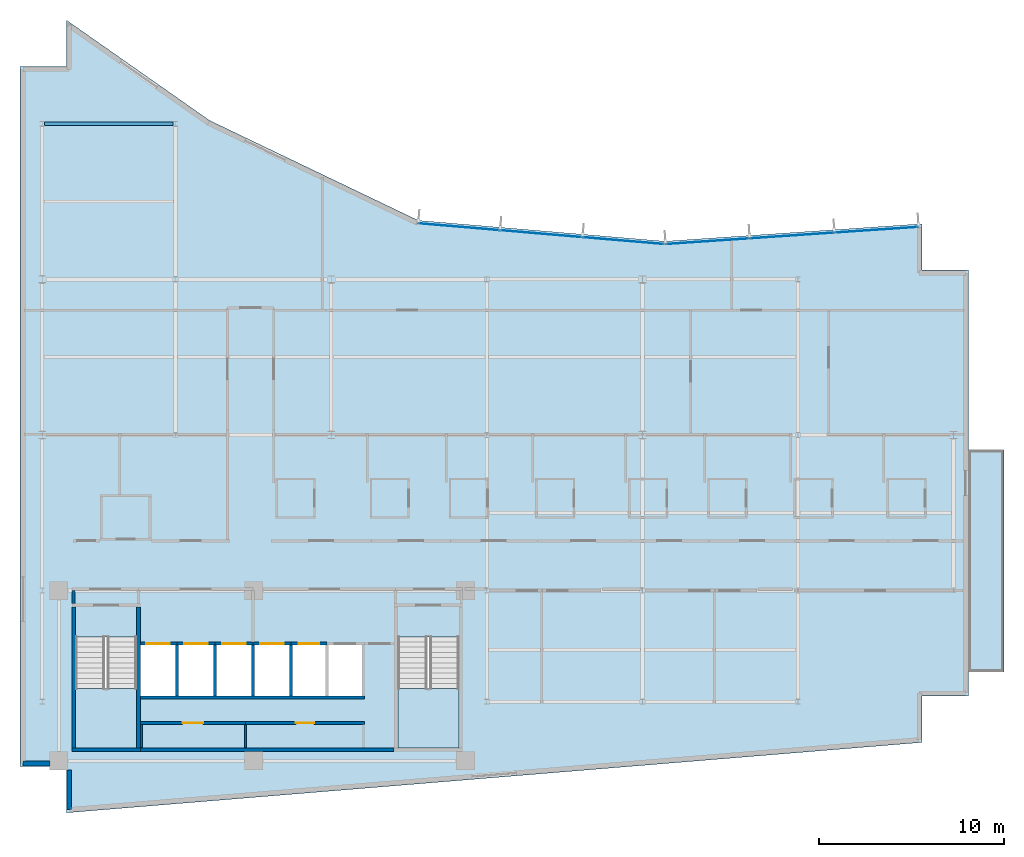
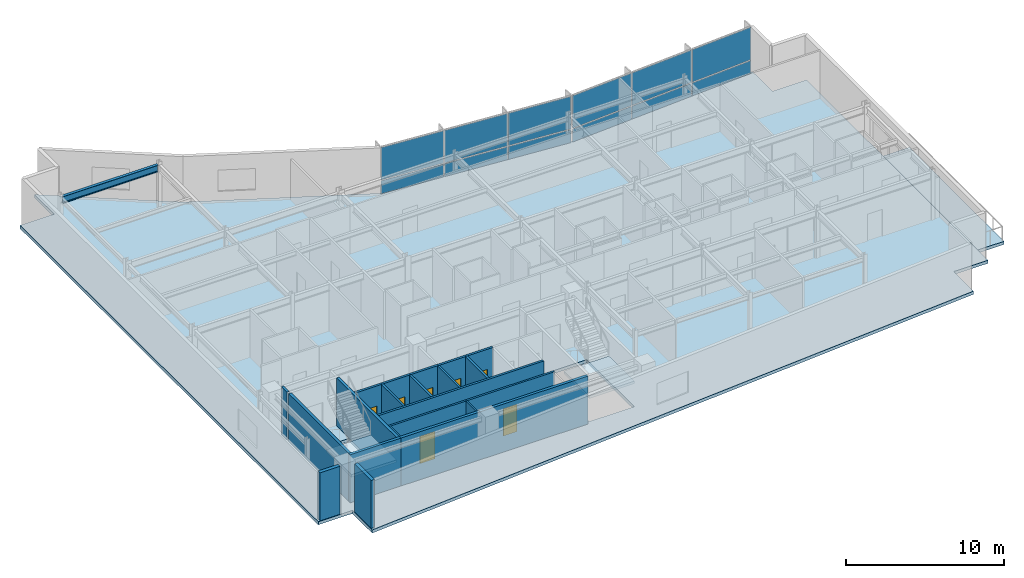
# One storey, part 8 of 15: 21 walls, 12 plates, 7 doors, 4 slabs, 1 beam, 7 openings, 4 elements without a shape of their own.
"""IFC4 building model written with IfcOpenShell, lengths in metres."""

import ifcopenshell
import ifcopenshell.guid

model = None  # the IFC model being written
_history = None  # IfcOwnerHistory: only IFC2X3 demands one
_inside = {}  # id of a spatial element -> (the spatial element, [elements in it])
_under = {}  # id of a project, library or spatial element -> (it, [spatial elements below it])
_declared = {}  # id of a project -> (the project, [libraries it declares])
_typed = {}  # id of a type object -> (the type object, [elements of that type])
_made_of = {}  # id of a material, layer set ... -> (it, [elements and type objects made of it])


def new_model(schema):
    """Start an empty IFC model of exactly this schema.

    Asked for "IFC4X3", IfcOpenShell would pick the latest addendum, in which some entities
    have other attributes; the version numbers below select the first issue.
    IFC2X3 requires an IfcOwnerHistory on every rooted entity: one is made here for all.
    """
    global model, _history
    if schema == "IFC4X3":
        model = ifcopenshell.file(schema_version=(4, 3, 0, 0))
    else:
        model = ifcopenshell.file(schema=schema)
    _inside.clear()
    _under.clear()
    _declared.clear()
    _typed.clear()
    _made_of.clear()
    _history = None
    if model.schema == "IFC2X3":
        org = make("IfcOrganization", Name="unknown")
        user = make(
            "IfcPersonAndOrganization",
            ThePerson=make("IfcPerson", FamilyName="unknown"),
            TheOrganization=org,
        )
        app = make(
            "IfcApplication",
            ApplicationDeveloper=org,
            Version="unknown",
            ApplicationFullName="unknown",
            ApplicationIdentifier="unknown",
        )
        _history = make(
            "IfcOwnerHistory",
            OwningUser=user,
            OwningApplication=app,
            ChangeAction="ADDED",
            CreationDate=0,
        )
    return model


def make(cls, **values):
    """One entity of the class cls with the attributes given. An attribute that is None is left unset."""
    return model.create_entity(
        cls, **{name: value for name, value in values.items() if value is not None}
    )


def rooted(cls, **values):
    """An entity with a GlobalId (a new one), such as an element, a storey or a relation."""
    return make(cls, GlobalId=ifcopenshell.guid.new(), OwnerHistory=_history, **values)


def si_unit(unit_type, name, prefix=None):
    """IfcSIUnit, for example si_unit("LENGTHUNIT", "METRE", prefix="MILLI")."""
    return make("IfcSIUnit", UnitType=unit_type, Prefix=prefix, Name=name)


def assignment(units):
    """IfcUnitAssignment: the units of a project."""
    return None if units is None else make("IfcUnitAssignment", Units=units)


def point(xyz):
    """IfcCartesianPoint."""
    return None if xyz is None else make("IfcCartesianPoint", Coordinates=xyz)


def direction(xyz):
    """IfcDirection."""
    return None if xyz is None else make("IfcDirection", DirectionRatios=xyz)


def frame(location, z_axis=None, x_axis=None):
    """IfcAxis2Placement3D, a coordinate frame: its origin and axes. An axis left out is left unset."""
    return make(
        "IfcAxis2Placement3D",
        Location=point(location),
        Axis=direction(z_axis),
        RefDirection=direction(x_axis),
    )


def frame_2d(location, x_axis=None):
    """IfcAxis2Placement2D, a coordinate frame in the plane: its origin and x axis."""
    return make(
        "IfcAxis2Placement2D", Location=point(location), RefDirection=direction(x_axis)
    )


def origin():
    """The frame at (0, 0, 0) with its axes left unset."""
    return frame((0.0, 0.0, 0.0))


def origin_2d():
    """The frame at (0, 0) in the plane with its x axis left unset."""
    return frame_2d((0.0, 0.0))


def place(relative_to, where):
    """IfcLocalPlacement: puts the frame where relative to a parent placement (None: the world)."""
    return make(
        "IfcLocalPlacement", PlacementRelTo=relative_to, RelativePlacement=where
    )


def context(
    kind, dimensions, precision=None, world=None, true_north=None, identifier=None
):
    """IfcGeometricRepresentationContext, for example the 3D "Model" context."""
    return make(
        "IfcGeometricRepresentationContext",
        ContextIdentifier=identifier,
        ContextType=kind,
        CoordinateSpaceDimension=dimensions,
        Precision=precision,
        WorldCoordinateSystem=world,
        TrueNorth=true_north,
    )


def subcontext(parent, identifier, kind, view, scale=None):
    """IfcGeometricRepresentationSubContext, for example "Body" below "Model"."""
    return make(
        "IfcGeometricRepresentationSubContext",
        ContextIdentifier=identifier,
        ContextType=kind,
        ParentContext=parent,
        TargetScale=scale,
        TargetView=view,
    )


def project(units=None, contexts=None):
    """IfcProject with its units and contexts."""
    return rooted(
        "IfcProject",
        Name="project",
        RepresentationContexts=contexts,
        UnitsInContext=assignment(units),
    )


def spatial(cls, under=None, at=None, **own):
    """A site, building, storey or space (cls), placed at a placement, below another one or the project."""
    s = rooted(cls, ObjectPlacement=at, **own)
    if under is not None:
        _under.setdefault(under.id(), (under, []))[1].append(s)
    return s


def polyline(points):
    """IfcPolyline through the points."""
    return make("IfcPolyline", Points=[point(p) for p in points])


def profile(cls, at=None, kind="AREA", **sizes):
    """A parametric profile (cls). Its sizes go by their IFC names, for example OverallWidth=200.0."""
    return make(cls, ProfileType=kind, Position=at, **sizes)


def rectangle(**sizes):
    """IfcRectangleProfileDef."""
    return profile("IfcRectangleProfileDef", **sizes)


def i_section(**sizes):
    """IfcIShapeProfileDef."""
    return profile("IfcIShapeProfileDef", **sizes)


def outline(outer, holes=None, kind="AREA"):
    """IfcArbitraryClosedProfileDef: a profile drawn as a closed curve; with holes, ...WithVoids."""
    if holes is None:
        return make("IfcArbitraryClosedProfileDef", ProfileType=kind, OuterCurve=outer)
    return make(
        "IfcArbitraryProfileDefWithVoids",
        ProfileType=kind,
        OuterCurve=outer,
        InnerCurves=holes,
    )


def extrude(swept, where, along, depth):
    """IfcExtrudedAreaSolid: the profile swept, set in the frame where, extruded along a direction by depth."""
    return make(
        "IfcExtrudedAreaSolid",
        SweptArea=swept,
        Position=where,
        ExtrudedDirection=direction(along),
        Depth=depth,
    )


def shape(context_of_items, identifier, shape_type, items):
    """IfcShapeRepresentation: the items that make up one representation, for example the "Body"."""
    return make(
        "IfcShapeRepresentation",
        ContextOfItems=context_of_items,
        RepresentationIdentifier=identifier,
        RepresentationType=shape_type,
        Items=items,
    )


def material(Name=None, Category=None):
    """IfcMaterial."""
    return make("IfcMaterial", Name=Name, Category=Category)


def layer(
    of_material, thickness, ventilated=None, Name=None, Category=None, Priority=None
):
    """IfcMaterialLayer: one layer of a wall or slab, of a material (None: an air gap)."""
    return make(
        "IfcMaterialLayer",
        Material=of_material,
        LayerThickness=thickness,
        IsVentilated=ventilated,
        Name=Name,
        Category=Category,
        Priority=Priority,
    )


def layer_set(layers, Name=None):
    """IfcMaterialLayerSet."""
    return make("IfcMaterialLayerSet", MaterialLayers=layers, LayerSetName=Name)


def material_profile(
    of_material, cross_section, Name=None, Category=None, Priority=None
):
    """IfcMaterialProfile: a cross section and its material."""
    return make(
        "IfcMaterialProfile",
        Name=Name,
        Material=of_material,
        Profile=cross_section,
        Priority=Priority,
        Category=Category,
    )


def profile_set(profiles, Name=None, composite=None):
    """IfcMaterialProfileSet."""
    return make(
        "IfcMaterialProfileSet",
        Name=Name,
        MaterialProfiles=profiles,
        CompositeProfile=composite,
    )


def made_of(thing, what):
    """Note that an element or type object is made of a material, layer set ...; save() writes the relation."""
    if what is not None:
        _made_of.setdefault(what.id(), (what, []))[1].append(thing)
    return thing


def type_object(cls, material=None, **own):
    """A type object (cls), such as IfcWallType, which elements share."""
    return made_of(rooted(cls, **own), material)


def element(
    cls,
    number,
    at=None,
    inside=None,
    cuts=None,
    type_object=None,
    material=None,
    context=None,
    identifier="Body",
    shape_type=None,
    held_by="IfcProductDefinitionShape",
    body=None,
    shapes=None,
    **own,
):
    """One element of the class cls, such as IfcWall. Its Tag is "e" and its number.

    at: its placement. inside: the storey or other place that contains it. cuts: it is an
    opening in that element (IfcRelVoidsElement). A single representation is given by context,
    identifier, shape_type and body (its items); several are given by shapes. held_by: the class
    of the entity that holds the representations. save() writes the other relations.
    """
    e = rooted(cls, Tag="e%d" % number, ObjectPlacement=at, **own)
    if body is not None:
        shapes = [shape(context, identifier, shape_type, body)]
    if shapes is not None:
        e.Representation = make(held_by, Representations=shapes)
    if inside is not None:
        _inside.setdefault(inside.id(), (inside, []))[1].append(e)
    if cuts is not None:
        rooted(
            "IfcRelVoidsElement", RelatingBuildingElement=cuts, RelatedOpeningElement=e
        )
    if type_object is not None:
        _typed.setdefault(type_object.id(), (type_object, []))[1].append(e)
    return made_of(e, material)


def fill(opening, filler):
    """IfcRelFillsElement: the door or window that sits in an opening."""
    return rooted(
        "IfcRelFillsElement",
        RelatingOpeningElement=opening,
        RelatedBuildingElement=filler,
    )


def aggregate(whole, parts):
    """IfcRelAggregates: a whole, such as a stair, and the parts it consists of."""
    return rooted("IfcRelAggregates", RelatingObject=whole, RelatedObjects=parts)


def save(model, path):
    """Write the relations noted so far, then the file.

    IfcRelAggregates (storeys below a building ...), IfcRelContainedInSpatialStructure (elements
    in a storey), IfcRelDefinesByType, IfcRelAssociatesMaterial and IfcRelDeclares: one each for
    every whole, place, type object, material and project.
    """
    for whole, parts in _under.values():
        aggregate(whole, parts)
    for where, things in _inside.values():
        rooted(
            "IfcRelContainedInSpatialStructure",
            RelatedElements=things,
            RelatingStructure=where,
        )
    for kind, things in _typed.values():
        rooted("IfcRelDefinesByType", RelatedObjects=things, RelatingType=kind)
    for what, things in _made_of.values():
        rooted("IfcRelAssociatesMaterial", RelatedObjects=things, RelatingMaterial=what)
    for by, libraries in _declared.values():
        rooted("IfcRelDeclares", RelatingContext=by, RelatedDefinitions=libraries)
    model.write(path)


model = new_model("IFC4")

# Units and contexts
model_context = context("Model", 3, precision=1e-05, world=origin(), true_north=direction((0.0, 1.0)))
body_context = subcontext(model_context, "Body", "Model", "MODEL_VIEW")
ifc_project = project(units=[si_unit("LENGTHUNIT", "METRE"), si_unit("AREAUNIT", "SQUARE_METRE"), si_unit("VOLUMEUNIT", "CUBIC_METRE"), si_unit("PLANEANGLEUNIT", "RADIAN"), si_unit("MASSUNIT", "GRAM", prefix="KILO")], contexts=[model_context])

# Site, building, storey
site_placement = place(None, origin())
site = spatial("IfcSite", under=ifc_project, at=site_placement, CompositionType="ELEMENT")
building_placement = place(site_placement, origin())
building = spatial("IfcBuilding", under=site, at=building_placement, Name="Varnakote Quay Hospital", CompositionType="ELEMENT")
storey_placement = place(building_placement, frame((0.0, 0.0, 192.10009765625)))
storey = spatial("IfcBuildingStorey", under=building, at=storey_placement, Name="L47", CompositionType="ELEMENT", Elevation=192.10009765625)

# Beam
ifc_material_1 = material(Name="Structural steel AS/NZS 3679.1 Grade 350 L0 (fy 340 MPa)", Category="steel")
ifc_material_profile = material_profile(ifc_material_1, i_section(OverallWidth=0.208984375, OverallDepth=0.532958984375, WebThickness=0.01025390625, FlangeThickness=0.015625, FilletRadius=0.013916015625, at=origin_2d()), Name="530UB92.4")
ifc_profile_set = profile_set([ifc_material_profile], Name="Structural steel AS/NZS 3679.1 Grade 350 L0 (fy 340 MPa)")
beam_type = type_object("IfcBeamType", Name="BM-STL-530UB92-4", PredefinedType="BEAM", material=ifc_profile_set)
beam_placement = place(storey_placement, frame((1.327880859375, 37.199951171875, 3.443359375), z_axis=(1.0, 0.0, 0.0), x_axis=(0.0, 1.0, 0.0)))
element("IfcBeam", 1, at=beam_placement, inside=storey, type_object=beam_type, Name="L47 Primary Floor Beam", PredefinedType="BEAM", context=body_context, shape_type="SweptSolid", body=[
    extrude(i_section(OverallWidth=0.208984375, OverallDepth=0.532958984375, WebThickness=0.01025390625, FlangeThickness=0.015625, FilletRadius=0.013916015625, at=origin_2d()), origin(), (0.0, 0.0, 1.0), 6.944091796875),
])

# Curtain wall, plates
ifc_material_2 = material(Name="Anodised aluminium 6063-T6 Bronze", Category="aluminium")
ifc_layer_1 = layer(ifc_material_2, 0.219970703125)
ifc_layer_set_1 = layer_set([ifc_layer_1], Name="Anodised aluminium 6063-T6 Bronze")
curtain_wall_type = type_object("IfcCurtainWallType", Name="CW-SYS-4", PredefinedType="NOTDEFINED", material=ifc_layer_set_1)
curtain_wall_1_placement = place(storey_placement, origin())
curtain_wall_1 = element("IfcCurtainWall", 2, at=curtain_wall_1_placement, inside=storey, type_object=curtain_wall_type, Name="L47 Unitised Bronze Curtain Wall 1", PredefinedType="NOTDEFINED")
ifc_material_3 = material(Name="Double-glazed low-E solar glass", Category="glass")
ifc_layer_2 = layer(ifc_material_3, 0.028076171875)
ifc_layer_set_2 = layer_set([ifc_layer_2], Name="Double-glazed low-E solar glass")
plate_type = type_object("IfcPlateType", Name="CW-PNL-GLZ-28", PredefinedType="CURTAIN_PANEL", material=ifc_layer_set_2)
plate_1_placement = place(storey_placement, frame((46.236328125, 31.47216796875, 0.06494140625), z_axis=(0.0, 0.0, 1.0), x_axis=(-0.997696087615, -0.067841851077, 0.0)))
plate_1 = element("IfcPlate", 3, at=plate_1_placement, type_object=plate_type, Name="-4-L47-1 panel 1.1", PredefinedType="CURTAIN_PANEL", context=body_context, shape_type="SweptSolid", body=[
    extrude(rectangle(XDim=4.48828125, YDim=0.028076171875, at=origin_2d()), origin(), (0.0, 0.0, 1.0), 1.00244140625),
])
plate_2_placement = place(storey_placement, frame((46.236328125, 31.47216796875, 1.13232421875), z_axis=(0.0, 0.0, 1.0), x_axis=(-0.997696087615, -0.067841851077, 0.0)))
plate_2 = element("IfcPlate", 4, at=plate_2_placement, type_object=plate_type, Name="-4-L47-1 panel 1.2", PredefinedType="CURTAIN_PANEL", context=body_context, shape_type="SweptSolid", body=[
    extrude(rectangle(XDim=4.48828125, YDim=0.028076171875, at=origin_2d()), origin(), (0.0, 0.0, 1.0), 2.512451171875),
])
plate_3_placement = place(storey_placement, frame((41.67724609375, 31.162109375, 0.06494140625), z_axis=(0.0, 0.0, 1.0), x_axis=(-0.997696087615, -0.067841851077, 0.0)))
plate_3 = element("IfcPlate", 5, at=plate_3_placement, type_object=plate_type, Name="-4-L47-1 panel 2.1", PredefinedType="CURTAIN_PANEL", context=body_context, shape_type="SweptSolid", body=[
    extrude(rectangle(XDim=4.520751953125, YDim=0.028076171875, at=origin_2d()), origin(), (0.0, 0.0, 1.0), 1.00244140625),
])
plate_4_placement = place(storey_placement, frame((41.67724609375, 31.162109375, 1.13232421875), z_axis=(0.0, 0.0, 1.0), x_axis=(-0.997696087615, -0.067841851077, 0.0)))
plate_4 = element("IfcPlate", 6, at=plate_4_placement, type_object=plate_type, Name="-4-L47-1 panel 2.2", PredefinedType="CURTAIN_PANEL", context=body_context, shape_type="SweptSolid", body=[
    extrude(rectangle(XDim=4.520751953125, YDim=0.028076171875, at=origin_2d()), origin(), (0.0, 0.0, 1.0), 2.512451171875),
])
plate_5_placement = place(storey_placement, frame((37.118408203125, 30.85205078125, 0.06494140625), z_axis=(0.0, 0.0, 1.0), x_axis=(-0.997696087615, -0.067841851077, 0.0)))
plate_5 = element("IfcPlate", 7, at=plate_5_placement, type_object=plate_type, Name="-4-L47-1 panel 3.1", PredefinedType="CURTAIN_PANEL", context=body_context, shape_type="SweptSolid", body=[
    extrude(rectangle(XDim=4.48828125, YDim=0.028076171875, at=origin_2d()), origin(), (0.0, 0.0, 1.0), 1.00244140625),
])
plate_6_placement = place(storey_placement, frame((37.118408203125, 30.85205078125, 1.13232421875), z_axis=(0.0, 0.0, 1.0), x_axis=(-0.997696087615, -0.067841851077, 0.0)))
plate_6 = element("IfcPlate", 8, at=plate_6_placement, type_object=plate_type, Name="-4-L47-1 panel 3.2", PredefinedType="CURTAIN_PANEL", context=body_context, shape_type="SweptSolid", body=[
    extrude(rectangle(XDim=4.48828125, YDim=0.028076171875, at=origin_2d()), origin(), (0.0, 0.0, 1.0), 2.512451171875),
])
aggregate(curtain_wall_1, [plate_1, plate_2, plate_3, plate_4, plate_5, plate_6])

curtain_wall_2_placement = place(storey_placement, origin())
curtain_wall_2 = element("IfcCurtainWall", 9, at=curtain_wall_2_placement, inside=storey, type_object=curtain_wall_type, Name="L47 Unitised Bronze Curtain Wall 2", PredefinedType="NOTDEFINED")
plate_7_placement = place(storey_placement, frame((32.572998046875, 30.884765625, 0.06494140625), z_axis=(0.0, 0.0, 1.0), x_axis=(-0.996454277304, 0.084136040089, 0.0)))
plate_7 = element("IfcPlate", 10, at=plate_7_placement, type_object=plate_type, Name="-4-L47-2 panel 1.1", PredefinedType="CURTAIN_PANEL", context=body_context, shape_type="SweptSolid", body=[
    extrude(rectangle(XDim=4.369384765625, YDim=0.028076171875, at=origin_2d()), origin(), (0.0, 0.0, 1.0), 1.00244140625),
])
plate_8_placement = place(storey_placement, frame((32.572998046875, 30.884765625, 1.13232421875), z_axis=(0.0, 0.0, 1.0), x_axis=(-0.996454277304, 0.084136040089, 0.0)))
plate_8 = element("IfcPlate", 11, at=plate_8_placement, type_object=plate_type, Name="-4-L47-2 panel 1.2", PredefinedType="CURTAIN_PANEL", context=body_context, shape_type="SweptSolid", body=[
    extrude(rectangle(XDim=4.369384765625, YDim=0.028076171875, at=origin_2d()), origin(), (0.0, 0.0, 1.0), 2.512451171875),
])
plate_9_placement = place(storey_placement, frame((28.137939453125, 31.25927734375, 0.06494140625), z_axis=(0.0, 0.0, 1.0), x_axis=(-0.996454277304, 0.084136040089, 0.0)))
plate_9 = element("IfcPlate", 12, at=plate_9_placement, type_object=plate_type, Name="-4-L47-2 panel 2.1", PredefinedType="CURTAIN_PANEL", context=body_context, shape_type="SweptSolid", body=[
    extrude(rectangle(XDim=4.40185546875, YDim=0.028076171875, at=origin_2d()), origin(), (0.0, 0.0, 1.0), 1.00244140625),
])
plate_10_placement = place(storey_placement, frame((28.137939453125, 31.25927734375, 1.13232421875), z_axis=(0.0, 0.0, 1.0), x_axis=(-0.996454277304, 0.084136040089, 0.0)))
plate_10 = element("IfcPlate", 13, at=plate_10_placement, type_object=plate_type, Name="-4-L47-2 panel 2.2", PredefinedType="CURTAIN_PANEL", context=body_context, shape_type="SweptSolid", body=[
    extrude(rectangle(XDim=4.40185546875, YDim=0.028076171875, at=origin_2d()), origin(), (0.0, 0.0, 1.0), 2.512451171875),
])
plate_11_placement = place(storey_placement, frame((23.703125, 31.6337890625, 0.06494140625), z_axis=(0.0, 0.0, 1.0), x_axis=(-0.996454277304, 0.084136040089, 0.0)))
plate_11 = element("IfcPlate", 14, at=plate_11_placement, type_object=plate_type, Name="-4-L47-2 panel 3.1", PredefinedType="CURTAIN_PANEL", context=body_context, shape_type="SweptSolid", body=[
    extrude(rectangle(XDim=4.369384765625, YDim=0.028076171875, at=origin_2d()), origin(), (0.0, 0.0, 1.0), 1.00244140625),
])
plate_12_placement = place(storey_placement, frame((23.703125, 31.6337890625, 1.13232421875), z_axis=(0.0, 0.0, 1.0), x_axis=(-0.996454277304, 0.084136040089, 0.0)))
plate_12 = element("IfcPlate", 15, at=plate_12_placement, type_object=plate_type, Name="-4-L47-2 panel 3.2", PredefinedType="CURTAIN_PANEL", context=body_context, shape_type="SweptSolid", body=[
    extrude(rectangle(XDim=4.369384765625, YDim=0.028076171875, at=origin_2d()), origin(), (0.0, 0.0, 1.0), 2.512451171875),
])
aggregate(curtain_wall_2, [plate_7, plate_8, plate_9, plate_10, plate_11, plate_12])

# Stair, slab
ifc_material_4 = material(Name="Concrete N40 (f'c 40 MPa)", Category="concrete")
stair_type = type_object("IfcStairType", Name="STR-CORE-1580", PredefinedType="HALF_TURN_STAIR", material=ifc_material_4)
stair_1_placement = place(storey_placement, origin())
stair_1 = element("IfcStair", 16, at=stair_1_placement, inside=storey, type_object=stair_type, Name="L47 Fire-Isolated Exit Stair ST-01", PredefinedType="HALF_TURN_STAIR")
ifc_material_5 = material(Name="Concrete N40 (f'c 40 MPa)", Category="concrete")
ifc_layer_3 = layer(ifc_material_5, 0.199951171875)
ifc_layer_set_3 = layer_set([ifc_layer_3], Name="Concrete N40 (f'c 40 MPa)")
slab_type_1 = type_object("IfcSlabType", Name="SLB-STAIR-LND-200", PredefinedType="LANDING", material=ifc_layer_set_3)
slab_1_placement = place(storey_placement, frame((0.0, 0.0, 1.77490234375)))
slab_1 = element("IfcSlab", 17, at=slab_1_placement, type_object=slab_type_1, Name="ST-01 landing 1", PredefinedType="LANDING", context=body_context, shape_type="SweptSolid", body=[
    extrude(outline(polyline([(3.0, 6.699951171875), (3.0, 3.5), (6.300048828125, 3.5), (6.300048828125, 6.699951171875), (3.0, 6.699951171875)])), origin(), (0.0, 0.0, 1.0), 0.199951171875),
])
aggregate(stair_1, [slab_1])

stair_2_placement = place(storey_placement, origin())
stair_2 = element("IfcStair", 18, at=stair_2_placement, inside=storey, type_object=stair_type, Name="L47 Fire-Isolated Exit Stair ST-02", PredefinedType="HALF_TURN_STAIR")
slab_2_placement = place(storey_placement, frame((0.0, 0.0, 1.77490234375)))
slab_2 = element("IfcSlab", 19, at=slab_2_placement, type_object=slab_type_1, Name="ST-02 landing 1", PredefinedType="LANDING", context=body_context, shape_type="SweptSolid", body=[
    extrude(outline(polyline([(20.39990234375, 6.699951171875), (20.39990234375, 3.5), (23.699951171875, 3.5), (23.699951171875, 6.699951171875), (20.39990234375, 6.699951171875)])), origin(), (0.0, 0.0, 1.0), 0.199951171875),
])
aggregate(stair_2, [slab_2])

# Slabs
ifc_material_6 = material(Name="Concrete N50 (f'c 50 MPa)", Category="concrete")
ifc_layer_4 = layer(ifc_material_6, 0.239990234375)
ifc_layer_set_4 = layer_set([ifc_layer_4], Name="Concrete N50 (f'c 50 MPa)")
slab_type_2 = type_object("IfcSlabType", Name="SLB-TERR-200", PredefinedType="FLOOR", material=ifc_layer_set_4)
slab_3_placement = place(storey_placement, frame((0.0, 0.0, -0.239990234375)))
element("IfcSlab", 20, at=slab_3_placement, inside=storey, type_object=slab_type_2, Name="L47 Waterfront Healing Terrace Slab", PredefinedType="FLOOR", context=body_context, shape_type="SweptSolid", body=[
    extrude(outline(polyline([(51.196044921875, 19.60009765625), (51.196044921875, 7.60009765625), (53.1201171875, 7.60009765625), (53.1201171875, 19.60009765625), (51.196044921875, 19.60009765625)])), origin(), (0.0, 0.0, 1.0), 0.239990234375),
])
ifc_material_7 = material(Name="Concrete N50 (f'c 50 MPa)", Category="concrete")
ifc_layer_5 = layer(ifc_material_7, 0.239990234375)
ifc_layer_set_5 = layer_set([ifc_layer_5], Name="Concrete N50 (f'c 50 MPa)")
slab_type_3 = type_object("IfcSlabType", Name="SLB-WARD-200", PredefinedType="FLOOR", material=ifc_layer_set_5)
slab_4_placement = place(storey_placement, frame((0.0, 0.0, -0.239990234375)))
element("IfcSlab", 21, at=slab_4_placement, inside=storey, type_object=slab_type_3, Name="L47 Primary Floor Slab", PredefinedType="FLOOR", context=body_context, shape_type="SweptSolid", body=[
    extrude(outline(polyline([(0.0, 2.5), (2.5, 2.5), (2.5, 0.0), (48.699951171875, 3.800048828125), (48.699951171875, 6.300048828125), (51.199951171875, 6.300048828125), (51.199951171875, 29.300048828125), (48.699951171875, 29.300048828125), (48.699951171875, 31.800048828125), (34.81591796875, 30.85595703125), (21.50390625, 31.97998046875), (10.239990234375, 37.3759765625), (2.5, 42.800048828125), (2.5, 40.300048828125), (0.0, 40.300048828125), (0.0, 2.5)]), holes=[polyline([(3.0, 3.5), (6.300048828125, 3.5), (6.300048828125, 9.49951171875), (3.0, 9.49951171875), (3.0, 3.5)]), polyline([(20.39990234375, 3.5), (23.699951171875, 3.5), (23.699951171875, 9.49951171875), (20.39990234375, 9.49951171875), (20.39990234375, 3.5)]), polyline([(6.5, 6.300048828125), (8.39990234375, 6.300048828125), (8.39990234375, 9.050048828125), (6.5, 9.050048828125), (6.5, 6.300048828125)]), polyline([(8.550048828125, 6.300048828125), (10.449951171875, 6.300048828125), (10.449951171875, 9.050048828125), (8.550048828125, 9.050048828125), (8.550048828125, 6.300048828125)]), polyline([(10.60009765625, 6.300048828125), (12.5, 6.300048828125), (12.5, 9.050048828125), (10.60009765625, 9.050048828125), (10.60009765625, 6.300048828125)]), polyline([(12.64990234375, 6.300048828125), (14.550048828125, 6.300048828125), (14.550048828125, 9.050048828125), (12.64990234375, 9.050048828125), (12.64990234375, 6.300048828125)]), polyline([(14.699951171875, 6.300048828125), (16.5, 6.300048828125), (16.5, 9.050048828125), (14.699951171875, 9.050048828125), (14.699951171875, 6.300048828125)]), polyline([(16.64990234375, 6.300048828125), (18.449951171875, 6.300048828125), (18.449951171875, 9.050048828125), (16.64990234375, 9.050048828125), (16.64990234375, 6.300048828125)])]), origin(), (0.0, 0.0, 1.0), 0.239990234375),
])

# Walls
ifc_material_8 = material(Name="Fire-rated acoustic gypsum stud wall", Category="gypsum")
ifc_layer_6 = layer(ifc_material_8, 0.159912109375)
ifc_layer_set_6 = layer_set([ifc_layer_6], Name="Fire-rated acoustic gypsum stud wall")
wall_type_1 = type_object("IfcWallType", Name="WL-COMP-160", PredefinedType="PARTITIONING", material=ifc_layer_set_6)
wall_1_placement = place(storey_placement, frame((2.8798828125, 11.300048828125, 0.0), z_axis=(0.0, 0.0, 1.0), x_axis=(0.0, 1.0, 0.0)))
element("IfcWall", 22, at=wall_1_placement, inside=storey, type_object=wall_type_1, Name="L47 West Stair Vestibule West Wall", PredefinedType="PARTITIONING", context=body_context, shape_type="SweptSolid", body=[
    extrude(rectangle(XDim=0.699951171875, YDim=0.159912109375, at=frame_2d((0.35009765625, 0.0))), origin(), (0.0, 0.0, 1.0), 3.7099609375),
])
ifc_material_9 = material(Name="Concrete N50 (f'c 50 MPa)", Category="concrete")
ifc_layer_7 = layer(ifc_material_9, 0.199951171875)
ifc_layer_set_7 = layer_set([ifc_layer_7], Name="Concrete N50 (f'c 50 MPa)")
wall_type_2 = type_object("IfcWallType", Name="WL-CORE-N50-200", PredefinedType="SHEAR", material=ifc_layer_set_7)
wall_2_placement = place(storey_placement, frame((6.5, 3.39990234375, 0.0), z_axis=(0.0, 0.0, 1.0), x_axis=(1.0, 0.0, 0.0)))
element("IfcWall", 23, at=wall_2_placement, inside=storey, type_object=wall_type_2, Name="L47 Rear Core South Shear Wall", PredefinedType="SHEAR", context=body_context, shape_type="SweptSolid", body=[
    extrude(rectangle(XDim=13.699951171875, YDim=0.199951171875, at=frame_2d((6.85009765625, 0.0))), origin(), (0.0, 0.0, 1.0), 3.7099609375),
])
ifc_material_10 = material(Name="Precast concrete N50 (f'c 50 MPa)", Category="concrete")
ifc_layer_8 = layer(ifc_material_10, 0.260009765625)
ifc_layer_set_8 = layer_set([ifc_layer_8], Name="Precast concrete N50 (f'c 50 MPa)")
wall_type_3 = type_object("IfcWallType", Name="WL-EXT-BRICK-260", PredefinedType="STANDARD", material=ifc_layer_set_8)
wall_3_placement = place(storey_placement, frame((2.659912109375, 2.31494140625, 0.0), z_axis=(0.0, 0.0, 1.0), x_axis=(0.0, -1.0, 0.0)))
element("IfcWall", 24, at=wall_3_placement, inside=storey, type_object=wall_type_3, Name="L47 Brick-Faced Precast Exterior Wall", PredefinedType="STANDARD", context=body_context, shape_type="SweptSolid", body=[
    extrude(rectangle(XDim=2.141357421875, YDim=0.260009765625, at=frame_2d((1.07080078125, 0.0))), origin(), (0.0, 0.0, 1.0), 3.7099609375),
])
wall_4_placement = place(storey_placement, frame((0.159912109375, 2.659912109375, 0.0), z_axis=(0.0, 0.0, 1.0), x_axis=(1.0, 0.0, 0.0)))
element("IfcWall", 25, at=wall_4_placement, inside=storey, type_object=wall_type_3, Name="L47 Brick-Faced Precast Exterior Wall", PredefinedType="STANDARD", context=body_context, shape_type="SweptSolid", body=[
    extrude(rectangle(XDim=1.455078125, YDim=0.260009765625, at=frame_2d((0.7275390625, 0.0))), origin(), (0.0, 0.0, 1.0), 3.7099609375),
])
ifc_material_11 = material(Name="Concrete N50 (f'c 50 MPa)", Category="concrete")
ifc_layer_9 = layer(ifc_material_11, 0.14990234375)
ifc_layer_set_9 = layer_set([ifc_layer_9], Name="Concrete N50 (f'c 50 MPa)")
wall_type_4 = type_object("IfcWallType", Name="WL-SHAFT-N50-150", PredefinedType="SHEAR", material=ifc_layer_set_9)
for number, where, z_axis, x_axis, name in (
    (26, (8.47509765625, 6.300048828125, 0.0), (0.0, 0.0, 1.0), (0.0, 1.0, 0.0), "L47 LF-FF1 Hoistway Divider Wall"),
    (27, (10.52490234375, 6.300048828125, 0.0), (0.0, 0.0, 1.0), (0.0, 1.0, 0.0), "L47 LF-FF2 Hoistway Divider Wall"),
    (28, (12.574951171875, 6.300048828125, 0.0), (0.0, 0.0, 1.0), (0.0, 1.0, 0.0), "L47 LF-SV1 Hoistway Divider Wall"),
    (29, (14.625, 6.300048828125, 0.0), (0.0, 0.0, 1.0), (0.0, 1.0, 0.0), "L47 LF-SV2 Hoistway Divider Wall"),
):
    element("IfcWall", number, at=place(storey_placement, frame(where, z_axis=z_axis, x_axis=x_axis)), inside=storey, type_object=wall_type_4, Name=name, PredefinedType="SHEAR", context=body_context, shape_type="SweptSolid", body=[
        extrude(rectangle(XDim=2.75, YDim=0.14990234375, at=frame_2d((1.375, 0.0))), origin(), (0.0, 0.0, 1.0), 3.7099609375),
    ])
ifc_material_12 = material(Name="Concrete N50 (f'c 50 MPa)", Category="concrete")
ifc_layer_10 = layer(ifc_material_12, 0.159912109375)
ifc_layer_set_10 = layer_set([ifc_layer_10], Name="Concrete N50 (f'c 50 MPa)")
wall_type_5 = type_object("IfcWallType", Name="WL-SHAFT-N50-160", PredefinedType="SHEAR", material=ifc_layer_set_10)
wall_5_placement = place(storey_placement, frame((6.5, 6.219970703125, 0.0), z_axis=(0.0, 0.0, 1.0), x_axis=(1.0, 0.0, 0.0)))
element("IfcWall", 30, at=wall_5_placement, inside=storey, type_object=wall_type_5, Name="L47 REAR Lift Bank Back Shear Wall", PredefinedType="SHEAR", context=body_context, shape_type="SweptSolid", body=[
    extrude(rectangle(XDim=12.110107421875, YDim=0.159912109375, at=frame_2d((6.05517578125, 0.0))), origin(), (0.0, 0.0, 1.0), 3.7099609375),
])

# Wall, opening, door
wall_6_placement = place(storey_placement, frame((6.5, 9.1298828125, 0.0), z_axis=(0.0, 0.0, 1.0), x_axis=(1.0, 0.0, 0.0)))
wall_6 = element("IfcWall", 31, at=wall_6_placement, inside=storey, type_object=wall_type_5, Name="L47 LF-FF1 Hoistway Front Wall", PredefinedType="SHEAR", context=body_context, shape_type="SweptSolid", body=[
    extrude(rectangle(XDim=1.97509765625, YDim=0.159912109375, at=frame_2d((0.987548828125, 0.0))), origin(), (0.0, 0.0, 1.0), 3.7099609375),
])
opening_1_placement = place(wall_6_placement, frame((0.324951171875, 0.0, 0.0)))
opening_1 = element("IfcOpeningElement", 32, at=opening_1_placement, cuts=wall_6, Name="Opening LD-FF1-L47", PredefinedType="OPENING", context=body_context, shape_type="SweptSolid", body=[
    extrude(rectangle(XDim=1.25, YDim=2.14990234375, at=frame_2d((0.625, 1.074951171875))), frame((0.0, 0.08984375, 0.0), z_axis=(0.0, -1.0, 0.0), x_axis=(1.0, 0.0, 0.0)), (0.0, 0.0, 1.0), 0.179931640625),
])
ifc_material_13 = material(Name="Stainless steel lift landing sliding door", Category="steel")
door_type_1 = type_object("IfcDoorType", Name="DR-LIFT-LD-1250x2150", OperationType="NOTDEFINED", PredefinedType="DOOR", material=ifc_material_13)
door_1_placement = place(opening_1_placement, origin())
door_1 = element("IfcDoor", 33, at=door_1_placement, inside=storey, type_object=door_type_1, Name="L47 LF-FF1 Lift Landing Sliding Door", OperationType="SLIDING_TO_LEFT", OverallHeight=2.14990234375, OverallWidth=1.25, PredefinedType="DOOR", context=body_context, shape_type="SweptSolid", body=[
    extrude(rectangle(XDim=1.25, YDim=2.14990234375, at=frame_2d((0.625, 1.074951171875))), frame((0.0, 0.02490234375, 0.0), z_axis=(0.0, -1.0, 0.0), x_axis=(1.0, 0.0, 0.0)), (0.0, 0.0, 1.0), 0.050048828125),
])
fill(opening_1, door_1)

wall_7_placement = place(storey_placement, frame((8.47509765625, 9.1298828125, 0.0), z_axis=(0.0, 0.0, 1.0), x_axis=(1.0, 0.0, 0.0)))
wall_7 = element("IfcWall", 34, at=wall_7_placement, inside=storey, type_object=wall_type_5, Name="L47 LF-FF2 Hoistway Front Wall", PredefinedType="SHEAR", context=body_context, shape_type="SweptSolid", body=[
    extrude(rectangle(XDim=2.0498046875, YDim=0.159912109375, at=frame_2d((1.02490234375, 0.0))), origin(), (0.0, 0.0, 1.0), 3.7099609375),
])
opening_2_placement = place(wall_7_placement, frame((0.39990234375, 0.0, 0.0)))
opening_2 = element("IfcOpeningElement", 35, at=opening_2_placement, cuts=wall_7, Name="Opening LD-FF2-L47", PredefinedType="OPENING", context=body_context, shape_type="SweptSolid", body=[
    extrude(rectangle(XDim=1.25, YDim=2.14990234375, at=frame_2d((0.625, 1.074951171875))), frame((0.0, 0.08984375, 0.0), z_axis=(0.0, -1.0, 0.0), x_axis=(1.0, 0.0, 0.0)), (0.0, 0.0, 1.0), 0.179931640625),
])
door_2_placement = place(opening_2_placement, origin())
door_2 = element("IfcDoor", 36, at=door_2_placement, inside=storey, type_object=door_type_1, Name="L47 LF-FF2 Lift Landing Sliding Door", OperationType="SLIDING_TO_LEFT", OverallHeight=2.14990234375, OverallWidth=1.25, PredefinedType="DOOR", context=body_context, shape_type="SweptSolid", body=[
    extrude(rectangle(XDim=1.25, YDim=2.14990234375, at=frame_2d((0.625, 1.074951171875))), frame((0.0, 0.02490234375, 0.0), z_axis=(0.0, -1.0, 0.0), x_axis=(1.0, 0.0, 0.0)), (0.0, 0.0, 1.0), 0.050048828125),
])
fill(opening_2, door_2)

wall_8_placement = place(storey_placement, frame((10.52490234375, 9.1298828125, 0.0), z_axis=(0.0, 0.0, 1.0), x_axis=(1.0, 0.0, 0.0)))
wall_8 = element("IfcWall", 37, at=wall_8_placement, inside=storey, type_object=wall_type_5, Name="L47 LF-SV1 Hoistway Front Wall", PredefinedType="SHEAR", context=body_context, shape_type="SweptSolid", body=[
    extrude(rectangle(XDim=2.050048828125, YDim=0.159912109375, at=frame_2d((1.02490234375, 0.0))), origin(), (0.0, 0.0, 1.0), 3.7099609375),
])
opening_3_placement = place(wall_8_placement, frame((0.39990234375, 0.0, 0.0)))
opening_3 = element("IfcOpeningElement", 38, at=opening_3_placement, cuts=wall_8, Name="Opening LD-SV1-L47", PredefinedType="OPENING", context=body_context, shape_type="SweptSolid", body=[
    extrude(rectangle(XDim=1.25, YDim=2.14990234375, at=frame_2d((0.625, 1.074951171875))), frame((0.0, 0.08984375, 0.0), z_axis=(0.0, -1.0, 0.0), x_axis=(1.0, 0.0, 0.0)), (0.0, 0.0, 1.0), 0.179931640625),
])
door_3_placement = place(opening_3_placement, origin())
door_3 = element("IfcDoor", 39, at=door_3_placement, inside=storey, type_object=door_type_1, Name="L47 LF-SV1 Lift Landing Sliding Door", OperationType="SLIDING_TO_LEFT", OverallHeight=2.14990234375, OverallWidth=1.25, PredefinedType="DOOR", context=body_context, shape_type="SweptSolid", body=[
    extrude(rectangle(XDim=1.25, YDim=2.14990234375, at=frame_2d((0.625, 1.074951171875))), frame((0.0, 0.02490234375, 0.0), z_axis=(0.0, -1.0, 0.0), x_axis=(1.0, 0.0, 0.0)), (0.0, 0.0, 1.0), 0.050048828125),
])
fill(opening_3, door_3)

wall_9_placement = place(storey_placement, frame((12.574951171875, 9.1298828125, 0.0), z_axis=(0.0, 0.0, 1.0), x_axis=(1.0, 0.0, 0.0)))
wall_9 = element("IfcWall", 40, at=wall_9_placement, inside=storey, type_object=wall_type_5, Name="L47 LF-SV2 Hoistway Front Wall", PredefinedType="SHEAR", context=body_context, shape_type="SweptSolid", body=[
    extrude(rectangle(XDim=2.050048828125, YDim=0.159912109375, at=frame_2d((1.02490234375, 0.0))), origin(), (0.0, 0.0, 1.0), 3.7099609375),
])
opening_4_placement = place(wall_9_placement, frame((0.39990234375, 0.0, 0.0)))
opening_4 = element("IfcOpeningElement", 41, at=opening_4_placement, cuts=wall_9, Name="Opening LD-SV2-L47", PredefinedType="OPENING", context=body_context, shape_type="SweptSolid", body=[
    extrude(rectangle(XDim=1.25, YDim=2.14990234375, at=frame_2d((0.625, 1.074951171875))), frame((0.0, 0.08984375, 0.0), z_axis=(0.0, -1.0, 0.0), x_axis=(1.0, 0.0, 0.0)), (0.0, 0.0, 1.0), 0.179931640625),
])
door_4_placement = place(opening_4_placement, origin())
door_4 = element("IfcDoor", 42, at=door_4_placement, inside=storey, type_object=door_type_1, Name="L47 LF-SV2 Lift Landing Sliding Door", OperationType="SLIDING_TO_LEFT", OverallHeight=2.14990234375, OverallWidth=1.25, PredefinedType="DOOR", context=body_context, shape_type="SweptSolid", body=[
    extrude(rectangle(XDim=1.25, YDim=2.14990234375, at=frame_2d((0.625, 1.074951171875))), frame((0.0, 0.02490234375, 0.0), z_axis=(0.0, -1.0, 0.0), x_axis=(1.0, 0.0, 0.0)), (0.0, 0.0, 1.0), 0.050048828125),
])
fill(opening_4, door_4)

wall_10_placement = place(storey_placement, frame((14.625, 9.1298828125, 0.0), z_axis=(0.0, 0.0, 1.0), x_axis=(1.0, 0.0, 0.0)))
wall_10 = element("IfcWall", 43, at=wall_10_placement, inside=storey, type_object=wall_type_5, Name="L47 LF-PH1 Hoistway Front Wall", PredefinedType="SHEAR", context=body_context, shape_type="SweptSolid", body=[
    extrude(rectangle(XDim=1.949951171875, YDim=0.159912109375, at=frame_2d((0.97509765625, 0.0))), origin(), (0.0, 0.0, 1.0), 3.7099609375),
])
opening_5_placement = place(wall_10_placement, frame((0.425048828125, 0.0, 0.0)))
opening_5 = element("IfcOpeningElement", 44, at=opening_5_placement, cuts=wall_10, Name="Opening LD-PH1-L47", PredefinedType="OPENING", context=body_context, shape_type="SweptSolid", body=[
    extrude(rectangle(XDim=1.10009765625, YDim=2.14990234375, at=frame_2d((0.550048828125, 1.074951171875))), frame((0.0, 0.08984375, 0.0), z_axis=(0.0, -1.0, 0.0), x_axis=(1.0, 0.0, 0.0)), (0.0, 0.0, 1.0), 0.179931640625),
])
ifc_material_14 = material(Name="Brushed bronze lift landing sliding door")
door_type_2 = type_object("IfcDoorType", Name="DR-LIFT-LD-1100x2150", OperationType="NOTDEFINED", PredefinedType="DOOR", material=ifc_material_14)
door_5_placement = place(opening_5_placement, origin())
door_5 = element("IfcDoor", 45, at=door_5_placement, inside=storey, type_object=door_type_2, Name="L47 LF-PH1 Lift Landing Sliding Door", OperationType="SLIDING_TO_LEFT", OverallHeight=2.14990234375, OverallWidth=1.10009765625, PredefinedType="DOOR", context=body_context, shape_type="SweptSolid", body=[
    extrude(rectangle(XDim=1.10009765625, YDim=2.14990234375, at=frame_2d((0.550048828125, 1.074951171875))), frame((0.0, 0.02490234375, 0.0), z_axis=(0.0, -1.0, 0.0), x_axis=(1.0, 0.0, 0.0)), (0.0, 0.0, 1.0), 0.050048828125),
])
fill(opening_5, door_5)

# Walls
ifc_material_15 = material(Name="Concrete N50 (f'c 50 MPa)", Category="concrete")
ifc_layer_11 = layer(ifc_material_15, 0.199951171875)
ifc_layer_set_11 = layer_set([ifc_layer_11], Name="Concrete N50 (f'c 50 MPa)")
wall_type_6 = type_object("IfcWallType", Name="WL-SHAFT-N50-200", PredefinedType="SHEAR", material=ifc_layer_set_11)
wall_11_placement = place(storey_placement, frame((2.800048828125, 3.39990234375, 0.0), z_axis=(0.0, 0.0, 1.0), x_axis=(1.0, 0.0, 0.0)))
element("IfcWall", 46, at=wall_11_placement, inside=storey, type_object=wall_type_6, Name="L47 Stair ST1 South Shaft Wall", PredefinedType="SHEAR", context=body_context, shape_type="SweptSolid", body=[
    extrude(rectangle(XDim=3.699951171875, YDim=0.199951171875, at=frame_2d((1.85009765625, 0.0))), origin(), (0.0, 0.0, 1.0), 3.7099609375),
])
for number, where, z_axis, x_axis, name in (
    (47, (2.89990234375, 3.5, 0.0), (0.0, 0.0, 1.0), (0.0, 1.0, 0.0), "L47 Stair ST1 West Shaft Wall"),
    (48, (6.39990234375, 3.5, 0.0), (0.0, 0.0, 1.0), (0.0, 1.0, 0.0), "L47 Stair ST1 East Shaft Wall"),
):
    element("IfcWall", number, at=place(storey_placement, frame(where, z_axis=z_axis, x_axis=x_axis)), inside=storey, type_object=wall_type_6, Name=name, PredefinedType="SHEAR", context=body_context, shape_type="SweptSolid", body=[
        extrude(rectangle(XDim=7.60009765625, YDim=0.199951171875, at=frame_2d((3.800048828125, 0.0))), origin(), (0.0, 0.0, 1.0), 3.7099609375),
    ])
ifc_material_16 = material(Name="Smoke-proof clinical partition", Category="gypsum")
ifc_layer_12 = layer(ifc_material_16, 0.1201171875)
ifc_layer_set_12 = layer_set([ifc_layer_12], Name="Smoke-proof clinical partition")
wall_type_7 = type_object("IfcWallType", Name="WL-SMOKE-120", PredefinedType="PARTITIONING", material=ifc_layer_set_12)
for number, where, z_axis, x_axis, name in (
    (49, (6.56005859375, 3.52001953125, 0.0), (0.0, 0.0, 1.0), (0.0, 1.0, 0.0), "L47 Core South Service West Wall"),
    (50, (12.169921875, 3.52001953125, 0.0), (0.0, 0.0, 1.0), (0.0, 1.0, 0.0), "L47 Core South Service Divider"),
):
    element("IfcWall", number, at=place(storey_placement, frame(where, z_axis=z_axis, x_axis=x_axis)), inside=storey, type_object=wall_type_7, Name=name, PredefinedType="PARTITIONING", context=body_context, shape_type="SweptSolid", body=[
        extrude(rectangle(XDim=1.260009765625, YDim=0.1201171875, at=frame_2d((0.6298828125, 0.0))), origin(), (0.0, 0.0, 1.0), 3.7099609375),
    ])

# Wall, opening, door
ifc_material_17 = material(Name="Fire-rated clinical gypsum partition", Category="gypsum")
ifc_layer_13 = layer(ifc_material_17, 0.139892578125)
ifc_layer_set_13 = layer_set([ifc_layer_13], Name="Fire-rated clinical gypsum partition")
wall_type_8 = type_object("IfcWallType", Name="WL-WARD-140", PredefinedType="PARTITIONING", material=ifc_layer_set_13)
wall_12_placement = place(storey_placement, frame((6.5, 4.85009765625, 0.0), z_axis=(0.0, 0.0, 1.0), x_axis=(1.0, 0.0, 0.0)))
wall_12 = element("IfcWall", 51, at=wall_12_placement, inside=storey, type_object=wall_type_8, Name="L47 Core Clean Linen Store North Wall", PredefinedType="PARTITIONING", context=body_context, shape_type="SweptSolid", body=[
    extrude(rectangle(XDim=5.669921875, YDim=0.139892578125, at=frame_2d((2.8349609375, 0.0))), origin(), (0.0, 0.0, 1.0), 3.7099609375),
])
opening_6_placement = place(wall_12_placement, frame((2.284912109375, 0.0, 0.0)))
opening_6 = element("IfcOpeningElement", 52, at=opening_6_placement, cuts=wall_12, Name="Opening D-L47-CR01", PredefinedType="OPENING", context=body_context, shape_type="SweptSolid", body=[
    extrude(rectangle(XDim=1.10009765625, YDim=2.10009765625, at=frame_2d((0.550048828125, 1.050048828125))), frame((0.0, 0.079833984375, 0.0), z_axis=(0.0, -1.0, 0.0), x_axis=(1.0, 0.0, 0.0)), (0.0, 0.0, 1.0), 0.159912109375),
])
ifc_material_18 = material(Name="Acoustic timber clinical consult door", Category="wood")
door_type_3 = type_object("IfcDoorType", Name="DR-CLIN-FD30S-1100x2100", OperationType="NOTDEFINED", PredefinedType="DOOR", material=ifc_material_18)
door_6_placement = place(opening_6_placement, origin())
door_6 = element("IfcDoor", 53, at=door_6_placement, inside=storey, type_object=door_type_3, Name="L47 Core Clean Linen Store Door", OperationType="SINGLE_SWING_RIGHT", OverallHeight=2.10009765625, OverallWidth=1.10009765625, PredefinedType="DOOR", context=body_context, shape_type="SweptSolid", body=[
    extrude(rectangle(XDim=1.10009765625, YDim=2.10009765625, at=frame_2d((0.550048828125, 1.050048828125))), frame((0.0, 0.02490234375, 0.0), z_axis=(0.0, -1.0, 0.0), x_axis=(1.0, 0.0, 0.0)), (0.0, 0.0, 1.0), 0.050048828125),
])
fill(opening_6, door_6)

wall_13_placement = place(storey_placement, frame((12.169921875, 4.85009765625, 0.0), z_axis=(0.0, 0.0, 1.0), x_axis=(1.0, 0.0, 0.0)))
wall_13 = element("IfcWall", 54, at=wall_13_placement, inside=storey, type_object=wall_type_8, Name="L47 Core Staff Sanitary WC North Wall", PredefinedType="PARTITIONING", context=body_context, shape_type="SweptSolid", body=[
    extrude(rectangle(XDim=6.43017578125, YDim=0.139892578125, at=frame_2d((3.215087890625, 0.0))), origin(), (0.0, 0.0, 1.0), 3.7099609375),
])
opening_7_placement = place(wall_13_placement, frame((2.72509765625, 0.0, 0.0)))
opening_7 = element("IfcOpeningElement", 55, at=opening_7_placement, cuts=wall_13, Name="Opening D-L47-CR02", PredefinedType="OPENING", context=body_context, shape_type="SweptSolid", body=[
    extrude(rectangle(XDim=0.97998046875, YDim=2.10009765625, at=frame_2d((0.489990234375, 1.050048828125))), frame((0.0, 0.079833984375, 0.0), z_axis=(0.0, -1.0, 0.0), x_axis=(1.0, 0.0, 0.0)), (0.0, 0.0, 1.0), 0.159912109375),
])
ifc_material_19 = material(Name="Accessible sanitary compartment door")
door_type_4 = type_object("IfcDoorType", Name="DR-WC-980x2100", OperationType="NOTDEFINED", PredefinedType="DOOR", material=ifc_material_19)
door_7_placement = place(opening_7_placement, origin())
door_7 = element("IfcDoor", 56, at=door_7_placement, inside=storey, type_object=door_type_4, Name="L47 Core Staff Sanitary WC Door", OperationType="SINGLE_SWING_LEFT", OverallHeight=2.10009765625, OverallWidth=0.97998046875, PredefinedType="DOOR", context=body_context, shape_type="SweptSolid", body=[
    extrude(rectangle(XDim=0.97998046875, YDim=2.10009765625, at=frame_2d((0.489990234375, 1.050048828125))), frame((0.0, 0.02490234375, 0.0), z_axis=(0.0, -1.0, 0.0), x_axis=(1.0, 0.0, 0.0)), (0.0, 0.0, 1.0), 0.050048828125),
])
fill(opening_7, door_7)

save(model, "model.ifc")
